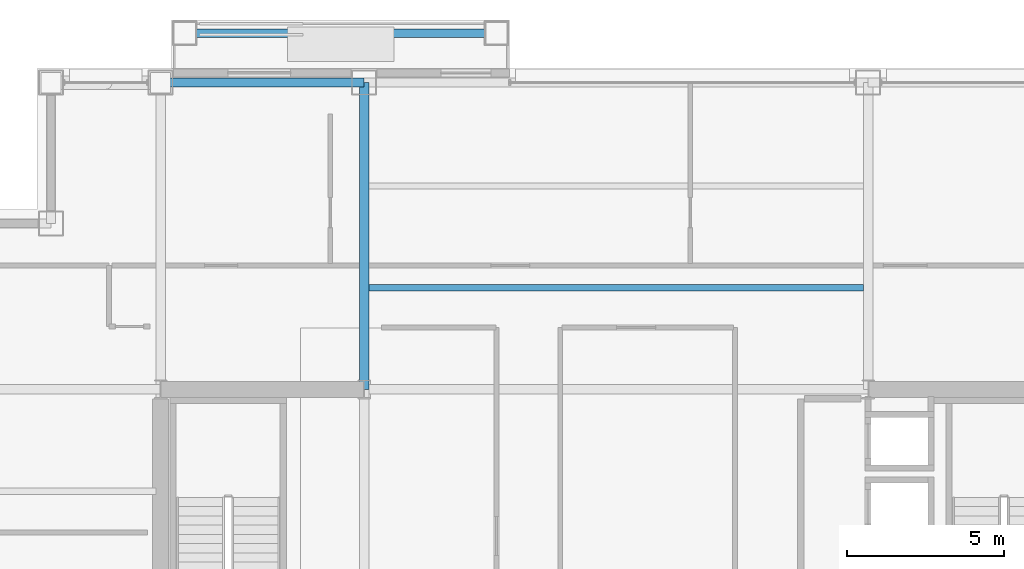
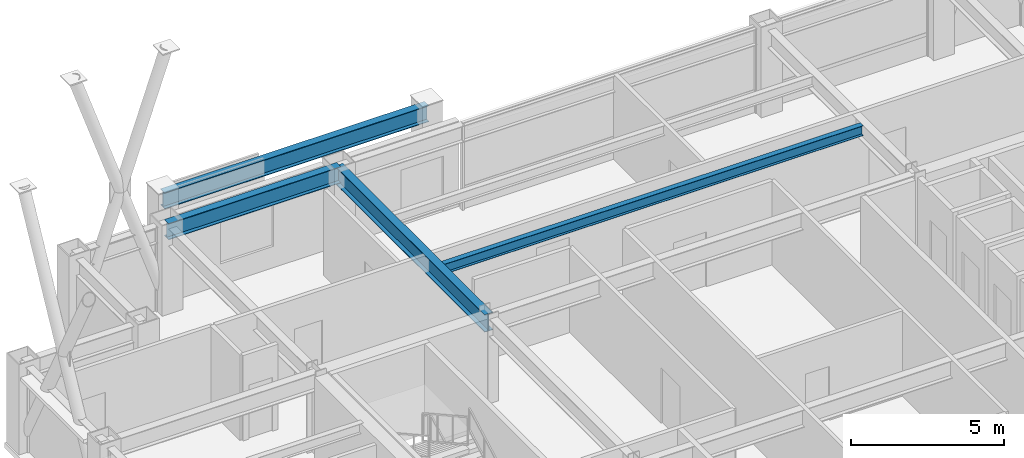
# One storey, part 20 of 33: 4 beams.
"""IFC4 building model written with IfcOpenShell, lengths in metres."""

from ifc_helpers import new_model, si_unit, direction, frame, origin, origin_2d, place, context, subcontext, project, spatial, i_section, extrude, material, material_profile, profile_set, type_object, element, save


model = new_model("IFC4")

# Units and contexts
model_context = context("Model", 3, precision=1e-05, world=origin(), true_north=direction((0.0, 1.0)))
body_context = subcontext(model_context, "Body", "Model", "MODEL_VIEW")
ifc_project = project(units=[si_unit("LENGTHUNIT", "METRE"), si_unit("AREAUNIT", "SQUARE_METRE"), si_unit("VOLUMEUNIT", "CUBIC_METRE"), si_unit("PLANEANGLEUNIT", "RADIAN"), si_unit("MASSUNIT", "GRAM", prefix="KILO")], contexts=[model_context])

# Site, building, storey
site_placement = place(None, origin())
site = spatial("IfcSite", under=ifc_project, at=site_placement, CompositionType="ELEMENT")
building_placement = place(site_placement, origin())
building = spatial("IfcBuilding", under=site, at=building_placement, Name="Brelmoor Portico Tower", CompositionType="ELEMENT")
storey_placement = place(building_placement, frame((0.0, 0.0, 120.60009765625)))
storey = spatial("IfcBuildingStorey", under=building, at=storey_placement, Name="L31", CompositionType="ELEMENT", Elevation=120.60009765625)

# Beams
ifc_material = material(Name="Steel Q355B", Category="steel")
ifc_material_profile_1 = material_profile(ifc_material, i_section(OverallWidth=0.199951171875, OverallDepth=0.39990234375, WebThickness=0.008056640625, FlangeThickness=0.012939453125, at=origin_2d()), Name="HN 400x200x8x13")
ifc_profile_set_1 = profile_set([ifc_material_profile_1], Name="Steel Q355B")
beam_type_1 = type_object("IfcBeamType", Name="BM-JS-400", PredefinedType="JOIST", material=ifc_profile_set_1)
beam_1_placement = place(storey_placement, frame((-7.89990234375, 13.0, 3.199951171875), z_axis=(1.0, 0.0, 0.0), x_axis=(0.0, 1.0, 0.0)))
element("IfcBeam", 1, at=beam_1_placement, inside=storey, type_object=beam_type_1, Name="L31 Secondary Composite Joist JS-C03", PredefinedType="JOIST", context=body_context, shape_type="SweptSolid", body=[
    extrude(i_section(OverallWidth=0.199951171875, OverallDepth=0.39990234375, WebThickness=0.008056640625, FlangeThickness=0.012939453125, at=origin_2d()), origin(), (0.0, 0.0, 1.0), 15.7998046875),
])
ifc_material_profile_2 = material_profile(ifc_material, i_section(OverallWidth=0.300048828125, OverallDepth=0.699951171875, WebThickness=0.012939453125, FlangeThickness=0.02392578125, at=origin_2d()), Name="HN 700x300x13x24")
ifc_profile_set_2 = profile_set([ifc_material_profile_2], Name="Steel Q355B")
beam_type_2 = type_object("IfcBeamType", Name="BM-PG-700", PredefinedType="BEAM", material=ifc_profile_set_2)
beam_2_placement = place(storey_placement, frame((-8.050048828125, 9.75, 3.0498046875), z_axis=(0.0, 1.0, 0.0), x_axis=(-1.0, 0.0, 0.0)))
element("IfcBeam", 2, at=beam_2_placement, inside=storey, type_object=beam_type_2, Name="L31 Primary Floor Girder PG-07", PredefinedType="BEAM", context=body_context, shape_type="SweptSolid", body=[
    extrude(i_section(OverallWidth=0.300048828125, OverallDepth=0.699951171875, WebThickness=0.012939453125, FlangeThickness=0.02392578125, at=origin_2d()), origin(), (0.0, 0.0, 1.0), 9.800048828125),
])
ifc_material_profile_3 = material_profile(ifc_material, i_section(OverallWidth=0.280029296875, OverallDepth=0.64990234375, WebThickness=0.012939453125, FlangeThickness=0.02197265625, at=origin_2d()), Name="HN 650x280x13x22")
ifc_profile_set_3 = profile_set([ifc_material_profile_3], Name="Steel Q355B")
beam_type_3 = type_object("IfcBeamType", Name="BM-SP-650", PredefinedType="SPANDREL", material=ifc_profile_set_3)
beam_3_placement = place(storey_placement, frame((-14.550048828125, 19.550048828125, 3.074951171875), z_axis=(1.0, 0.0, 0.0), x_axis=(0.0, 1.0, 0.0)))
element("IfcBeam", 3, at=beam_3_placement, inside=storey, type_object=beam_type_3, Name="L31 Perimeter Spandrel Beam SP-11", PredefinedType="SPANDREL", context=body_context, shape_type="SweptSolid", body=[
    extrude(i_section(OverallWidth=0.280029296875, OverallDepth=0.64990234375, WebThickness=0.012939453125, FlangeThickness=0.02197265625, at=origin_2d()), origin(), (0.0, 0.0, 1.0), 6.5),
])
beam_4_placement = place(storey_placement, frame((-13.780029296875, 21.1298828125, 3.074951171875), z_axis=(1.0, 0.0, 0.0), x_axis=(0.0, 1.0, 0.0)))
element("IfcBeam", 4, at=beam_4_placement, inside=storey, type_object=beam_type_3, Name="L31 Picture-Frame Perimeter Lintel Beam N1", PredefinedType="SPANDREL", context=body_context, shape_type="SweptSolid", body=[
    extrude(i_section(OverallWidth=0.280029296875, OverallDepth=0.64990234375, WebThickness=0.012939453125, FlangeThickness=0.02197265625, at=origin_2d()), origin(), (0.0, 0.0, 1.0), 9.9599609375),
])

save(model, "model.ifc")
